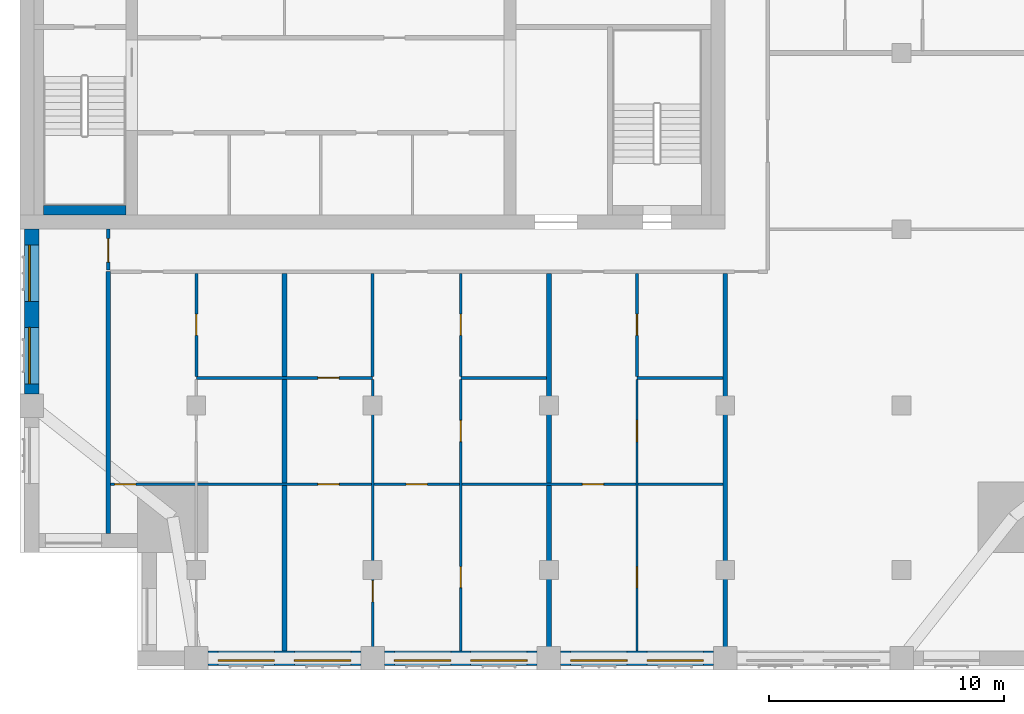
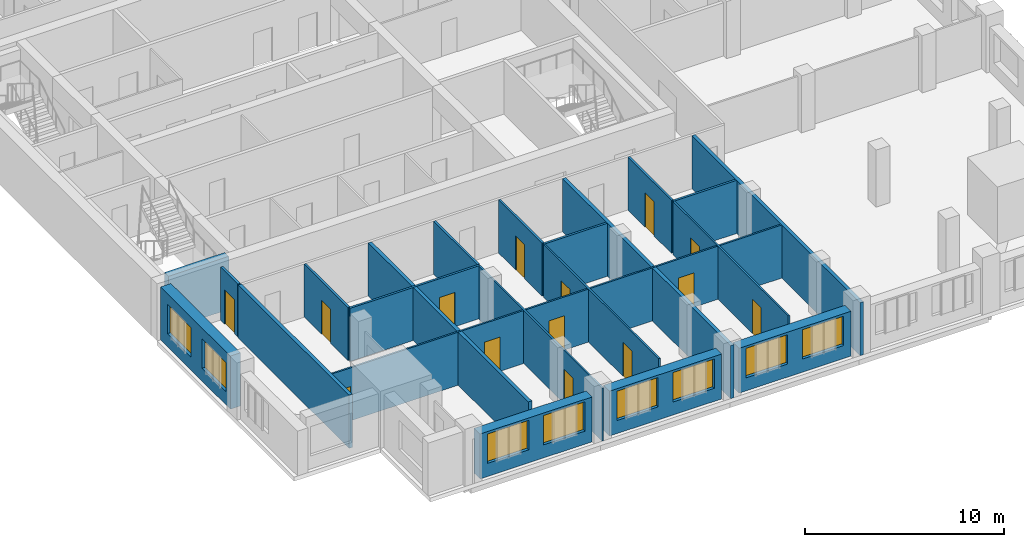
# One storey, part 3 of 11: 21 walls, 14 doors, 8 windows, 22 openings.
"""IFC4 building model written with IfcOpenShell, lengths in metres."""

from ifc_helpers import new_model, si_unit, direction, frame, frame_2d, origin, place, context, subcontext, project, spatial, rectangle, extrude, material, layer, layer_set, type_object, element, fill, save


model = new_model("IFC4")

# Units and contexts
model_context = context("Model", 3, precision=1e-05, world=origin(), true_north=direction((0.0, 1.0)))
body_context = subcontext(model_context, "Body", "Model", "MODEL_VIEW")
ifc_project = project(units=[si_unit("LENGTHUNIT", "METRE"), si_unit("AREAUNIT", "SQUARE_METRE"), si_unit("VOLUMEUNIT", "CUBIC_METRE"), si_unit("PLANEANGLEUNIT", "RADIAN"), si_unit("MASSUNIT", "GRAM", prefix="KILO")], contexts=[model_context])

# Site, building, storey
site_placement = place(None, origin())
site = spatial("IfcSite", under=ifc_project, at=site_placement, CompositionType="ELEMENT")
building_placement = place(site_placement, origin())
building = spatial("IfcBuilding", under=site, at=building_placement, Name="Tamorin Gate", CompositionType="ELEMENT")
storey_placement = place(building_placement, frame((0.0, 0.0, 244.199951171875)))
storey = spatial("IfcBuildingStorey", under=building, at=storey_placement, Name="L61", CompositionType="ELEMENT", Elevation=244.199951171875)

# Wall, openings, windows
ifc_material_1 = material(Name="Precast concrete C40/50", Category="concrete")
ifc_layer_1 = layer(ifc_material_1, 0.60009765625)
ifc_layer_set_1 = layer_set([ifc_layer_1], Name="Precast concrete C40/50")
wall_type_1 = type_object("IfcWallType", Name="Board-marked concrete facade panel 600", PredefinedType="SOLIDWALL", material=ifc_layer_set_1)
wall_1_placement = place(storey_placement, frame((38.0, 41.75, 0.0), z_axis=(0.0, 0.0, 1.0), x_axis=(1.0, 0.0, 0.0)))
wall_1 = element("IfcWall", 1, at=wall_1_placement, inside=storey, type_object=wall_type_1, Name="Facade panel", PredefinedType="SOLIDWALL", context=body_context, shape_type="SweptSolid", body=[
    extrude(rectangle(XDim=6.5, YDim=0.60009765625, at=frame_2d((3.25, 0.0))), origin(), (0.0, 0.0, 1.0), 2.75),
])
opening_1_placement = place(wall_1_placement, frame((0.425048828125, 0.0, 0.800048828125)))
opening_1 = element("IfcOpeningElement", 2, at=opening_1_placement, cuts=wall_1, Name="Opening WN1", PredefinedType="OPENING", context=body_context, shape_type="SweptSolid", body=[
    extrude(rectangle(XDim=2.39990234375, YDim=1.800048828125, at=frame_2d((1.199951171875, 0.89990234375))), frame((0.0, 0.31005859375, 0.0), z_axis=(0.0, -1.0, 0.0), x_axis=(1.0, 0.0, 0.0)), (0.0, 0.0, 1.0), 0.6201171875),
])
opening_2_placement = place(wall_1_placement, frame((3.675048828125, 0.0, 0.800048828125)))
opening_2 = element("IfcOpeningElement", 3, at=opening_2_placement, cuts=wall_1, Name="Opening WN1", PredefinedType="OPENING", context=body_context, shape_type="SweptSolid", body=[
    extrude(rectangle(XDim=2.39990234375, YDim=1.800048828125, at=frame_2d((1.199951171875, 0.89990234375))), frame((0.0, 0.31005859375, 0.0), z_axis=(0.0, -1.0, 0.0), x_axis=(1.0, 0.0, 0.0)), (0.0, 0.0, 1.0), 0.6201171875),
])
ifc_material_2 = material(Name="Clear glass in aluminium frame", Category="aluminium")
window_type = type_object("IfcWindowType", Name="Deep-set window 2400x1800", PartitioningType="SINGLE_PANEL", PredefinedType="WINDOW", material=ifc_material_2)
window_1_placement = place(opening_1_placement, origin())
window_1 = element("IfcWindow", 4, at=window_1_placement, inside=storey, type_object=window_type, Name="Deep-set window", OverallHeight=1.800048828125, OverallWidth=2.39990234375, PartitioningType="SINGLE_PANEL", PredefinedType="WINDOW", context=body_context, shape_type="SweptSolid", body=[
    extrude(rectangle(XDim=2.39990234375, YDim=1.800048828125, at=frame_2d((1.199951171875, 0.89990234375))), frame((0.0, -0.070068359375, 0.0), z_axis=(0.0, -1.0, 0.0), x_axis=(1.0, 0.0, 0.0)), (0.0, 0.0, 1.0), 0.06005859375),
])
fill(opening_1, window_1)
window_2_placement = place(opening_2_placement, origin())
window_2 = element("IfcWindow", 5, at=window_2_placement, inside=storey, type_object=window_type, Name="Deep-set window", OverallHeight=1.800048828125, OverallWidth=2.39990234375, PartitioningType="SINGLE_PANEL", PredefinedType="WINDOW", context=body_context, shape_type="SweptSolid", body=[
    extrude(rectangle(XDim=2.39990234375, YDim=1.800048828125, at=frame_2d((1.199951171875, 0.89990234375))), frame((0.0, -0.070068359375, 0.0), z_axis=(0.0, -1.0, 0.0), x_axis=(1.0, 0.0, 0.0)), (0.0, 0.0, 1.0), 0.06005859375),
])
fill(opening_2, window_2)

wall_2_placement = place(storey_placement, frame((45.5, 41.75, 0.0), z_axis=(0.0, 0.0, 1.0), x_axis=(1.0, 0.0, 0.0)))
wall_2 = element("IfcWall", 6, at=wall_2_placement, inside=storey, type_object=wall_type_1, Name="Facade panel", PredefinedType="SOLIDWALL", context=body_context, shape_type="SweptSolid", body=[
    extrude(rectangle(XDim=6.5, YDim=0.60009765625, at=frame_2d((3.25, 0.0))), origin(), (0.0, 0.0, 1.0), 2.75),
])
opening_3_placement = place(wall_2_placement, frame((0.425048828125, 0.0, 0.800048828125)))
opening_3 = element("IfcOpeningElement", 7, at=opening_3_placement, cuts=wall_2, Name="Opening WN1", PredefinedType="OPENING", context=body_context, shape_type="SweptSolid", body=[
    extrude(rectangle(XDim=2.39990234375, YDim=1.800048828125, at=frame_2d((1.199951171875, 0.89990234375))), frame((0.0, 0.31005859375, 0.0), z_axis=(0.0, -1.0, 0.0), x_axis=(1.0, 0.0, 0.0)), (0.0, 0.0, 1.0), 0.6201171875),
])
opening_4_placement = place(wall_2_placement, frame((3.675048828125, 0.0, 0.800048828125)))
opening_4 = element("IfcOpeningElement", 8, at=opening_4_placement, cuts=wall_2, Name="Opening WN1", PredefinedType="OPENING", context=body_context, shape_type="SweptSolid", body=[
    extrude(rectangle(XDim=2.39990234375, YDim=1.800048828125, at=frame_2d((1.199951171875, 0.89990234375))), frame((0.0, 0.31005859375, 0.0), z_axis=(0.0, -1.0, 0.0), x_axis=(1.0, 0.0, 0.0)), (0.0, 0.0, 1.0), 0.6201171875),
])
window_3_placement = place(opening_3_placement, origin())
window_3 = element("IfcWindow", 9, at=window_3_placement, inside=storey, type_object=window_type, Name="Deep-set window", OverallHeight=1.800048828125, OverallWidth=2.39990234375, PartitioningType="SINGLE_PANEL", PredefinedType="WINDOW", context=body_context, shape_type="SweptSolid", body=[
    extrude(rectangle(XDim=2.39990234375, YDim=1.800048828125, at=frame_2d((1.199951171875, 0.89990234375))), frame((0.0, -0.070068359375, 0.0), z_axis=(0.0, -1.0, 0.0), x_axis=(1.0, 0.0, 0.0)), (0.0, 0.0, 1.0), 0.06005859375),
])
fill(opening_3, window_3)
window_4_placement = place(opening_4_placement, origin())
window_4 = element("IfcWindow", 10, at=window_4_placement, inside=storey, type_object=window_type, Name="Deep-set window", OverallHeight=1.800048828125, OverallWidth=2.39990234375, PartitioningType="SINGLE_PANEL", PredefinedType="WINDOW", context=body_context, shape_type="SweptSolid", body=[
    extrude(rectangle(XDim=2.39990234375, YDim=1.800048828125, at=frame_2d((1.199951171875, 0.89990234375))), frame((0.0, -0.070068359375, 0.0), z_axis=(0.0, -1.0, 0.0), x_axis=(1.0, 0.0, 0.0)), (0.0, 0.0, 1.0), 0.06005859375),
])
fill(opening_4, window_4)

wall_3_placement = place(storey_placement, frame((53.0, 41.75, 0.0), z_axis=(0.0, 0.0, 1.0), x_axis=(1.0, 0.0, 0.0)))
wall_3 = element("IfcWall", 11, at=wall_3_placement, inside=storey, type_object=wall_type_1, Name="Facade panel", PredefinedType="SOLIDWALL", context=body_context, shape_type="SweptSolid", body=[
    extrude(rectangle(XDim=6.5, YDim=0.60009765625, at=frame_2d((3.25, 0.0))), origin(), (0.0, 0.0, 1.0), 2.75),
])
opening_5_placement = place(wall_3_placement, frame((0.425048828125, 0.0, 0.800048828125)))
opening_5 = element("IfcOpeningElement", 12, at=opening_5_placement, cuts=wall_3, Name="Opening WN1", PredefinedType="OPENING", context=body_context, shape_type="SweptSolid", body=[
    extrude(rectangle(XDim=2.39990234375, YDim=1.800048828125, at=frame_2d((1.199951171875, 0.89990234375))), frame((0.0, 0.31005859375, 0.0), z_axis=(0.0, -1.0, 0.0), x_axis=(1.0, 0.0, 0.0)), (0.0, 0.0, 1.0), 0.6201171875),
])
opening_6_placement = place(wall_3_placement, frame((3.675048828125, 0.0, 0.800048828125)))
opening_6 = element("IfcOpeningElement", 13, at=opening_6_placement, cuts=wall_3, Name="Opening WN1", PredefinedType="OPENING", context=body_context, shape_type="SweptSolid", body=[
    extrude(rectangle(XDim=2.39990234375, YDim=1.800048828125, at=frame_2d((1.199951171875, 0.89990234375))), frame((0.0, 0.31005859375, 0.0), z_axis=(0.0, -1.0, 0.0), x_axis=(1.0, 0.0, 0.0)), (0.0, 0.0, 1.0), 0.6201171875),
])
window_5_placement = place(opening_5_placement, origin())
window_5 = element("IfcWindow", 14, at=window_5_placement, inside=storey, type_object=window_type, Name="Deep-set window", OverallHeight=1.800048828125, OverallWidth=2.39990234375, PartitioningType="SINGLE_PANEL", PredefinedType="WINDOW", context=body_context, shape_type="SweptSolid", body=[
    extrude(rectangle(XDim=2.39990234375, YDim=1.800048828125, at=frame_2d((1.199951171875, 0.89990234375))), frame((0.0, -0.070068359375, 0.0), z_axis=(0.0, -1.0, 0.0), x_axis=(1.0, 0.0, 0.0)), (0.0, 0.0, 1.0), 0.06005859375),
])
fill(opening_5, window_5)
window_6_placement = place(opening_6_placement, origin())
window_6 = element("IfcWindow", 15, at=window_6_placement, inside=storey, type_object=window_type, Name="Deep-set window", OverallHeight=1.800048828125, OverallWidth=2.39990234375, PartitioningType="SINGLE_PANEL", PredefinedType="WINDOW", context=body_context, shape_type="SweptSolid", body=[
    extrude(rectangle(XDim=2.39990234375, YDim=1.800048828125, at=frame_2d((1.199951171875, 0.89990234375))), frame((0.0, -0.070068359375, 0.0), z_axis=(0.0, -1.0, 0.0), x_axis=(1.0, 0.0, 0.0)), (0.0, 0.0, 1.0), 0.06005859375),
])
fill(opening_6, window_6)

wall_4_placement = place(storey_placement, frame((30.5, 60.0, 0.0), z_axis=(0.0, 0.0, 1.0), x_axis=(0.0, -1.0, 0.0)))
wall_4 = element("IfcWall", 16, at=wall_4_placement, inside=storey, type_object=wall_type_1, Name="Facade panel", PredefinedType="SOLIDWALL", context=body_context, shape_type="SweptSolid", body=[
    extrude(rectangle(XDim=7.0, YDim=0.60009765625, at=frame_2d((3.5, 0.0))), origin(), (0.0, 0.0, 1.0), 3.25),
])
opening_7_placement = place(wall_4_placement, frame((4.175048828125, 0.0, 0.800048828125)))
opening_7 = element("IfcOpeningElement", 17, at=opening_7_placement, cuts=wall_4, Name="Opening WN1", PredefinedType="OPENING", context=body_context, shape_type="SweptSolid", body=[
    extrude(rectangle(XDim=2.39990234375, YDim=1.800048828125, at=frame_2d((1.199951171875, 0.89990234375))), frame((0.0, 0.31005859375, 0.0), z_axis=(0.0, -1.0, 0.0), x_axis=(1.0, 0.0, 0.0)), (0.0, 0.0, 1.0), 0.6201171875),
])
opening_8_placement = place(wall_4_placement, frame((0.675048828125, 0.0, 0.800048828125)))
opening_8 = element("IfcOpeningElement", 18, at=opening_8_placement, cuts=wall_4, Name="Opening WN1", PredefinedType="OPENING", context=body_context, shape_type="SweptSolid", body=[
    extrude(rectangle(XDim=2.39990234375, YDim=1.800048828125, at=frame_2d((1.199951171875, 0.89990234375))), frame((0.0, 0.31005859375, 0.0), z_axis=(0.0, -1.0, 0.0), x_axis=(1.0, 0.0, 0.0)), (0.0, 0.0, 1.0), 0.6201171875),
])
window_7_placement = place(opening_7_placement, origin())
window_7 = element("IfcWindow", 19, at=window_7_placement, inside=storey, type_object=window_type, Name="Deep-set window", OverallHeight=1.800048828125, OverallWidth=2.39990234375, PartitioningType="SINGLE_PANEL", PredefinedType="WINDOW", context=body_context, shape_type="SweptSolid", body=[
    extrude(rectangle(XDim=2.39990234375, YDim=1.800048828125, at=frame_2d((1.199951171875, 0.89990234375))), frame((0.0, -0.070068359375, 0.0), z_axis=(0.0, -1.0, 0.0), x_axis=(1.0, 0.0, 0.0)), (0.0, 0.0, 1.0), 0.06005859375),
])
fill(opening_7, window_7)
window_8_placement = place(opening_8_placement, origin())
window_8 = element("IfcWindow", 20, at=window_8_placement, inside=storey, type_object=window_type, Name="Deep-set window", OverallHeight=1.800048828125, OverallWidth=2.39990234375, PartitioningType="SINGLE_PANEL", PredefinedType="WINDOW", context=body_context, shape_type="SweptSolid", body=[
    extrude(rectangle(XDim=2.39990234375, YDim=1.800048828125, at=frame_2d((1.199951171875, 0.89990234375))), frame((0.0, -0.070068359375, 0.0), z_axis=(0.0, -1.0, 0.0), x_axis=(1.0, 0.0, 0.0)), (0.0, 0.0, 1.0), 0.06005859375),
])
fill(opening_8, window_8)

# Wall, opening, door
ifc_material_3 = material(Name="Gypsum board partition")
ifc_layer_2 = layer(ifc_material_3, 0.14990234375)
ifc_layer_set_2 = layer_set([ifc_layer_2], Name="Corridor wall 150")
wall_type_2 = type_object("IfcWallType", Name="Corridor wall 150", PredefinedType="PARTITIONING", material=ifc_layer_set_2)
wall_5_placement = place(storey_placement, frame((33.75, 58.27490234375, 0.0), z_axis=(0.0, 0.0, 1.0), x_axis=(0.0, 1.0, 0.0)))
wall_5 = element("IfcWall", 21, at=wall_5_placement, inside=storey, type_object=wall_type_2, Name="Corridor wall 150", PredefinedType="PARTITIONING", context=body_context, shape_type="SweptSolid", body=[
    extrude(rectangle(XDim=1.72509765625, YDim=0.14990234375, at=frame_2d((0.862548828125, 0.0))), origin(), (0.0, 0.0, 1.0), 3.25),
])
opening_9_placement = place(wall_5_placement, frame((0.324951171875, 0.0, 0.0)))
opening_9 = element("IfcOpeningElement", 22, at=opening_9_placement, cuts=wall_5, Name="Opening DR7001", PredefinedType="OPENING", context=body_context, shape_type="SweptSolid", body=[
    extrude(rectangle(XDim=1.0, YDim=2.10009765625, at=frame_2d((0.5, 1.050048828125))), frame((0.0, 0.0849609375, 0.0), z_axis=(0.0, -1.0, 0.0), x_axis=(1.0, 0.0, 0.0)), (0.0, 0.0, 1.0), 0.169921875),
])
ifc_material_4 = material(Name="Timber door leaf", Category="wood")
door_type_1 = type_object("IfcDoorType", Name="Door 1000 x 2100 FD30S", OperationType="NOTDEFINED", PredefinedType="DOOR", material=ifc_material_4)
door_1_placement = place(opening_9_placement, origin())
door_1 = element("IfcDoor", 23, at=door_1_placement, inside=storey, type_object=door_type_1, Name="Door DR7001", OperationType="SINGLE_SWING_RIGHT", OverallHeight=2.10009765625, OverallWidth=1.0, PredefinedType="DOOR", context=body_context, shape_type="SweptSolid", body=[
    extrude(rectangle(XDim=1.0, YDim=2.10009765625, at=frame_2d((0.5, 1.050048828125))), frame((0.0, 0.02490234375, 0.0), z_axis=(0.0, -1.0, 0.0), x_axis=(1.0, 0.0, 0.0)), (0.0, 0.0, 1.0), 0.050048828125),
])
fill(opening_9, door_1)

# Walls
ifc_layer_3 = layer(ifc_material_3, 0.199951171875)
ifc_layer_set_3 = layer_set([ifc_layer_3], Name="Demising wall 200")
wall_type_3 = type_object("IfcWallType", Name="Demising wall 200", PredefinedType="PARTITIONING", material=ifc_layer_set_3)
wall_6_placement = place(storey_placement, frame((33.75, 47.06005859375, 0.0), z_axis=(0.0, 0.0, 1.0), x_axis=(0.0, 1.0, 0.0)))
element("IfcWall", 24, at=wall_6_placement, inside=storey, type_object=wall_type_3, Name="Demising wall 200", PredefinedType="PARTITIONING", context=body_context, shape_type="SweptSolid", body=[
    extrude(rectangle(XDim=11.139892578125, YDim=0.199951171875, at=frame_2d((5.56982421875, 0.0))), origin(), (0.0, 0.0, 1.0), 3.25),
])
wall_7_placement = place(storey_placement, frame((41.25, 42.06005859375, 0.0), z_axis=(0.0, 0.0, 1.0), x_axis=(0.0, 1.0, 0.0)))
element("IfcWall", 25, at=wall_7_placement, inside=storey, type_object=wall_type_3, Name="Demising wall 200", PredefinedType="PARTITIONING", context=body_context, shape_type="SweptSolid", body=[
    extrude(rectangle(XDim=16.06494140625, YDim=0.199951171875, at=frame_2d((8.032470703125, 0.0))), origin(), (0.0, 0.0, 1.0), 3.25),
])
for number, where, z_axis, x_axis, name in (
    (26, (52.5, 41.25, 0.0), (0.0, 0.0, 1.0), (0.0, 1.0, 0.0), "Demising wall 200"),
    (27, (60.0, 41.25, 0.0), (0.0, 0.0, 1.0), (0.0, 1.0, 0.0), "Demising wall 200"),
):
    element("IfcWall", number, at=place(storey_placement, frame(where, z_axis=z_axis, x_axis=x_axis)), inside=storey, type_object=wall_type_3, Name=name, PredefinedType="PARTITIONING", context=body_context, shape_type="SweptSolid", body=[
        extrude(rectangle(XDim=16.875, YDim=0.199951171875, at=frame_2d((8.4375, 0.0))), origin(), (0.0, 0.0, 1.0), 3.25),
    ])

# Wall, openings, doors
ifc_layer_4 = layer(ifc_material_3, 0.10009765625)
ifc_layer_set_4 = layer_set([ifc_layer_4], Name="Room partition 100")
wall_type_4 = type_object("IfcWallType", Name="Room partition 100", PredefinedType="PARTITIONING", material=ifc_layer_set_4)
wall_8_placement = place(storey_placement, frame((33.85009765625, 49.14990234375, 0.0), z_axis=(0.0, 0.0, 1.0), x_axis=(1.0, 0.0, 0.0)))
wall_8 = element("IfcWall", 28, at=wall_8_placement, inside=storey, type_object=wall_type_4, Name="Room partition 100", PredefinedType="PARTITIONING", context=body_context, shape_type="SweptSolid", body=[
    extrude(rectangle(XDim=26.0498046875, YDim=0.10009765625, at=frame_2d((13.02490234375, 0.0))), origin(), (0.0, 0.0, 1.0), 3.25),
])
opening_10_placement = place(wall_8_placement, frame((0.175048828125, 0.0, 0.0)))
opening_10 = element("IfcOpeningElement", 29, at=opening_10_placement, cuts=wall_8, Name="Opening DR7003", PredefinedType="OPENING", context=body_context, shape_type="SweptSolid", body=[
    extrude(rectangle(XDim=0.89990234375, YDim=2.10009765625, at=frame_2d((0.449951171875, 1.050048828125))), frame((0.0, 0.06005859375, 0.0), z_axis=(0.0, -1.0, 0.0), x_axis=(1.0, 0.0, 0.0)), (0.0, 0.0, 1.0), 0.1201171875),
])
opening_11_placement = place(wall_8_placement, frame((8.824951171875, 0.0, 0.0)))
opening_11 = element("IfcOpeningElement", 30, at=opening_11_placement, cuts=wall_8, Name="Opening DR7007", PredefinedType="OPENING", context=body_context, shape_type="SweptSolid", body=[
    extrude(rectangle(XDim=0.89990234375, YDim=2.10009765625, at=frame_2d((0.449951171875, 1.050048828125))), frame((0.0, 0.06005859375, 0.0), z_axis=(0.0, -1.0, 0.0), x_axis=(1.0, 0.0, 0.0)), (0.0, 0.0, 1.0), 0.1201171875),
])
opening_12_placement = place(wall_8_placement, frame((12.574951171875, 0.0, 0.0)))
opening_12 = element("IfcOpeningElement", 31, at=opening_12_placement, cuts=wall_8, Name="Opening DR7010", PredefinedType="OPENING", context=body_context, shape_type="SweptSolid", body=[
    extrude(rectangle(XDim=0.89990234375, YDim=2.10009765625, at=frame_2d((0.449951171875, 1.050048828125))), frame((0.0, 0.06005859375, 0.0), z_axis=(0.0, -1.0, 0.0), x_axis=(1.0, 0.0, 0.0)), (0.0, 0.0, 1.0), 0.1201171875),
])
opening_13_placement = place(wall_8_placement, frame((20.074951171875, 0.0, 0.0)))
opening_13 = element("IfcOpeningElement", 32, at=opening_13_placement, cuts=wall_8, Name="Opening DR7016", PredefinedType="OPENING", context=body_context, shape_type="SweptSolid", body=[
    extrude(rectangle(XDim=0.89990234375, YDim=2.10009765625, at=frame_2d((0.449951171875, 1.050048828125))), frame((0.0, 0.06005859375, 0.0), z_axis=(0.0, -1.0, 0.0), x_axis=(1.0, 0.0, 0.0)), (0.0, 0.0, 1.0), 0.1201171875),
])
door_type_2 = type_object("IfcDoorType", Name="Door 900 x 2100", OperationType="NOTDEFINED", PredefinedType="DOOR", material=ifc_material_4)
door_2_placement = place(opening_10_placement, origin())
door_2 = element("IfcDoor", 33, at=door_2_placement, inside=storey, type_object=door_type_2, Name="Door DR7003", OperationType="SINGLE_SWING_LEFT", OverallHeight=2.10009765625, OverallWidth=0.89990234375, PredefinedType="DOOR", context=body_context, shape_type="SweptSolid", body=[
    extrude(rectangle(XDim=0.89990234375, YDim=2.10009765625, at=frame_2d((0.449951171875, 1.050048828125))), frame((0.0, 0.02490234375, 0.0), z_axis=(0.0, -1.0, 0.0), x_axis=(1.0, 0.0, 0.0)), (0.0, 0.0, 1.0), 0.050048828125),
])
fill(opening_10, door_2)
door_3_placement = place(opening_11_placement, origin())
door_3 = element("IfcDoor", 34, at=door_3_placement, inside=storey, type_object=door_type_2, Name="Door DR7007", OperationType="SINGLE_SWING_LEFT", OverallHeight=2.10009765625, OverallWidth=0.89990234375, PredefinedType="DOOR", context=body_context, shape_type="SweptSolid", body=[
    extrude(rectangle(XDim=0.89990234375, YDim=2.10009765625, at=frame_2d((0.449951171875, 1.050048828125))), frame((0.0, 0.02490234375, 0.0), z_axis=(0.0, -1.0, 0.0), x_axis=(1.0, 0.0, 0.0)), (0.0, 0.0, 1.0), 0.050048828125),
])
fill(opening_11, door_3)
door_4_placement = place(opening_12_placement, origin())
door_4 = element("IfcDoor", 35, at=door_4_placement, inside=storey, type_object=door_type_2, Name="Door DR7010", OperationType="SINGLE_SWING_LEFT", OverallHeight=2.10009765625, OverallWidth=0.89990234375, PredefinedType="DOOR", context=body_context, shape_type="SweptSolid", body=[
    extrude(rectangle(XDim=0.89990234375, YDim=2.10009765625, at=frame_2d((0.449951171875, 1.050048828125))), frame((0.0, 0.02490234375, 0.0), z_axis=(0.0, -1.0, 0.0), x_axis=(1.0, 0.0, 0.0)), (0.0, 0.0, 1.0), 0.050048828125),
])
fill(opening_12, door_4)
door_5_placement = place(opening_13_placement, origin())
door_5 = element("IfcDoor", 36, at=door_5_placement, inside=storey, type_object=door_type_2, Name="Door DR7016", OperationType="SINGLE_SWING_LEFT", OverallHeight=2.10009765625, OverallWidth=0.89990234375, PredefinedType="DOOR", context=body_context, shape_type="SweptSolid", body=[
    extrude(rectangle(XDim=0.89990234375, YDim=2.10009765625, at=frame_2d((0.449951171875, 1.050048828125))), frame((0.0, 0.02490234375, 0.0), z_axis=(0.0, -1.0, 0.0), x_axis=(1.0, 0.0, 0.0)), (0.0, 0.0, 1.0), 0.050048828125),
])
fill(opening_13, door_5)

# Wall, opening, door
wall_9_placement = place(storey_placement, frame((45.0, 41.25, 0.0), z_axis=(0.0, 0.0, 1.0), x_axis=(0.0, 1.0, 0.0)))
wall_9 = element("IfcWall", 37, at=wall_9_placement, inside=storey, type_object=wall_type_4, Name="Room partition 100", PredefinedType="PARTITIONING", context=body_context, shape_type="SweptSolid", body=[
    extrude(rectangle(XDim=12.362548828125, YDim=0.10009765625, at=frame_2d((6.18115234375, 0.0))), origin(), (0.0, 0.0, 1.0), 3.25),
])
opening_14_placement = place(wall_9_placement, frame((2.89990234375, 0.0, 0.0)))
opening_14 = element("IfcOpeningElement", 38, at=opening_14_placement, cuts=wall_9, Name="Opening DR7013", PredefinedType="OPENING", context=body_context, shape_type="SweptSolid", body=[
    extrude(rectangle(XDim=0.89990234375, YDim=2.10009765625, at=frame_2d((0.449951171875, 1.050048828125))), frame((0.0, 0.06005859375, 0.0), z_axis=(0.0, -1.0, 0.0), x_axis=(1.0, 0.0, 0.0)), (0.0, 0.0, 1.0), 0.1201171875),
])
door_6_placement = place(opening_14_placement, origin())
door_6 = element("IfcDoor", 39, at=door_6_placement, inside=storey, type_object=door_type_2, Name="Door DR7013", OperationType="SINGLE_SWING_LEFT", OverallHeight=2.10009765625, OverallWidth=0.89990234375, PredefinedType="DOOR", context=body_context, shape_type="SweptSolid", body=[
    extrude(rectangle(XDim=0.89990234375, YDim=2.10009765625, at=frame_2d((0.449951171875, 1.050048828125))), frame((0.0, 0.02490234375, 0.0), z_axis=(0.0, -1.0, 0.0), x_axis=(1.0, 0.0, 0.0)), (0.0, 0.0, 1.0), 0.050048828125),
])
fill(opening_14, door_6)

# Wall, openings, doors
wall_10_placement = place(storey_placement, frame((48.75, 42.06005859375, 0.0), z_axis=(0.0, 0.0, 1.0), x_axis=(0.0, 1.0, 0.0)))
wall_10 = element("IfcWall", 40, at=wall_10_placement, inside=storey, type_object=wall_type_4, Name="Room partition 100", PredefinedType="PARTITIONING", context=body_context, shape_type="SweptSolid", body=[
    extrude(rectangle(XDim=11.552490234375, YDim=0.10009765625, at=frame_2d((5.7763671875, 0.0))), origin(), (0.0, 0.0, 1.0), 3.25),
])
opening_15_placement = place(wall_10_placement, frame((8.902587890625, 0.0, 0.0)))
opening_15 = element("IfcOpeningElement", 41, at=opening_15_placement, cuts=wall_10, Name="Opening DR7011", PredefinedType="OPENING", context=body_context, shape_type="SweptSolid", body=[
    extrude(rectangle(XDim=0.89990234375, YDim=2.10009765625, at=frame_2d((0.449951171875, 1.050048828125))), frame((0.0, 0.06005859375, 0.0), z_axis=(0.0, -1.0, 0.0), x_axis=(1.0, 0.0, 0.0)), (0.0, 0.0, 1.0), 0.1201171875),
])
opening_16_placement = place(wall_10_placement, frame((2.68994140625, 0.0, 0.0)))
opening_16 = element("IfcOpeningElement", 42, at=opening_16_placement, cuts=wall_10, Name="Opening DR7014", PredefinedType="OPENING", context=body_context, shape_type="SweptSolid", body=[
    extrude(rectangle(XDim=0.89990234375, YDim=2.10009765625, at=frame_2d((0.449951171875, 1.050048828125))), frame((0.0, 0.06005859375, 0.0), z_axis=(0.0, -1.0, 0.0), x_axis=(1.0, 0.0, 0.0)), (0.0, 0.0, 1.0), 0.1201171875),
])
door_7_placement = place(opening_15_placement, origin())
door_7 = element("IfcDoor", 43, at=door_7_placement, inside=storey, type_object=door_type_2, Name="Door DR7011", OperationType="SINGLE_SWING_LEFT", OverallHeight=2.10009765625, OverallWidth=0.89990234375, PredefinedType="DOOR", context=body_context, shape_type="SweptSolid", body=[
    extrude(rectangle(XDim=0.89990234375, YDim=2.10009765625, at=frame_2d((0.449951171875, 1.050048828125))), frame((0.0, 0.02490234375, 0.0), z_axis=(0.0, -1.0, 0.0), x_axis=(1.0, 0.0, 0.0)), (0.0, 0.0, 1.0), 0.050048828125),
])
fill(opening_15, door_7)
door_8_placement = place(opening_16_placement, origin())
door_8 = element("IfcDoor", 44, at=door_8_placement, inside=storey, type_object=door_type_2, Name="Door DR7014", OperationType="SINGLE_SWING_LEFT", OverallHeight=2.10009765625, OverallWidth=0.89990234375, PredefinedType="DOOR", context=body_context, shape_type="SweptSolid", body=[
    extrude(rectangle(XDim=0.89990234375, YDim=2.10009765625, at=frame_2d((0.449951171875, 1.050048828125))), frame((0.0, 0.02490234375, 0.0), z_axis=(0.0, -1.0, 0.0), x_axis=(1.0, 0.0, 0.0)), (0.0, 0.0, 1.0), 0.050048828125),
])
fill(opening_16, door_8)

wall_11_placement = place(storey_placement, frame((56.25, 42.06005859375, 0.0), z_axis=(0.0, 0.0, 1.0), x_axis=(0.0, 1.0, 0.0)))
wall_11 = element("IfcWall", 45, at=wall_11_placement, inside=storey, type_object=wall_type_4, Name="Room partition 100", PredefinedType="PARTITIONING", context=body_context, shape_type="SweptSolid", body=[
    extrude(rectangle(XDim=11.552490234375, YDim=0.10009765625, at=frame_2d((5.7763671875, 0.0))), origin(), (0.0, 0.0, 1.0), 3.25),
])
opening_17_placement = place(wall_11_placement, frame((8.902587890625, 0.0, 0.0)))
opening_17 = element("IfcOpeningElement", 46, at=opening_17_placement, cuts=wall_11, Name="Opening DR7017", PredefinedType="OPENING", context=body_context, shape_type="SweptSolid", body=[
    extrude(rectangle(XDim=0.89990234375, YDim=2.10009765625, at=frame_2d((0.449951171875, 1.050048828125))), frame((0.0, 0.06005859375, 0.0), z_axis=(0.0, -1.0, 0.0), x_axis=(1.0, 0.0, 0.0)), (0.0, 0.0, 1.0), 0.1201171875),
])
opening_18_placement = place(wall_11_placement, frame((2.68994140625, 0.0, 0.0)))
opening_18 = element("IfcOpeningElement", 47, at=opening_18_placement, cuts=wall_11, Name="Opening DR7019", PredefinedType="OPENING", context=body_context, shape_type="SweptSolid", body=[
    extrude(rectangle(XDim=0.89990234375, YDim=2.10009765625, at=frame_2d((0.449951171875, 1.050048828125))), frame((0.0, 0.06005859375, 0.0), z_axis=(0.0, -1.0, 0.0), x_axis=(1.0, 0.0, 0.0)), (0.0, 0.0, 1.0), 0.1201171875),
])
door_9_placement = place(opening_17_placement, origin())
door_9 = element("IfcDoor", 48, at=door_9_placement, inside=storey, type_object=door_type_2, Name="Door DR7017", OperationType="SINGLE_SWING_LEFT", OverallHeight=2.10009765625, OverallWidth=0.89990234375, PredefinedType="DOOR", context=body_context, shape_type="SweptSolid", body=[
    extrude(rectangle(XDim=0.89990234375, YDim=2.10009765625, at=frame_2d((0.449951171875, 1.050048828125))), frame((0.0, 0.02490234375, 0.0), z_axis=(0.0, -1.0, 0.0), x_axis=(1.0, 0.0, 0.0)), (0.0, 0.0, 1.0), 0.050048828125),
])
fill(opening_17, door_9)
door_10_placement = place(opening_18_placement, origin())
door_10 = element("IfcDoor", 49, at=door_10_placement, inside=storey, type_object=door_type_2, Name="Door DR7019", OperationType="SINGLE_SWING_LEFT", OverallHeight=2.10009765625, OverallWidth=0.89990234375, PredefinedType="DOOR", context=body_context, shape_type="SweptSolid", body=[
    extrude(rectangle(XDim=0.89990234375, YDim=2.10009765625, at=frame_2d((0.449951171875, 1.050048828125))), frame((0.0, 0.02490234375, 0.0), z_axis=(0.0, -1.0, 0.0), x_axis=(1.0, 0.0, 0.0)), (0.0, 0.0, 1.0), 0.050048828125),
])
fill(opening_18, door_10)

# Wall
ifc_material_5 = material(Name="Concrete C50/60", Category="concrete")
ifc_layer_5 = layer(ifc_material_5, 0.39990234375)
ifc_layer_set_5 = layer_set([ifc_layer_5], Name="Stair lining wall 400 EI 120 C50/60")
wall_type_5 = type_object("IfcWallType", Name="Stair lining wall 400 EI 120 C50/60", PredefinedType="SOLIDWALL", material=ifc_layer_set_5)
wall_12_placement = place(storey_placement, frame((31.0, 60.800048828125, 0.0), z_axis=(0.0, 0.0, 1.0), x_axis=(1.0, 0.0, 0.0)))
element("IfcWall", 50, at=wall_12_placement, inside=storey, type_object=wall_type_5, Name="Stair lining wall", PredefinedType="SOLIDWALL", context=body_context, shape_type="SweptSolid", body=[
    extrude(rectangle(XDim=3.5, YDim=0.39990234375, at=frame_2d((1.75, 0.0))), origin(), (0.0, 0.0, 1.0), 3.25),
])

# Wall, opening, door
ifc_layer_6 = layer(ifc_material_3, 0.125)
ifc_layer_set_6 = layer_set([ifc_layer_6], Name="Wet wall 125")
wall_type_6 = type_object("IfcWallType", Name="Wet wall 125", PredefinedType="PARTITIONING", material=ifc_layer_set_6)
wall_13_placement = place(storey_placement, frame((37.5, 53.675048828125, 0.0), z_axis=(0.0, 0.0, 1.0), x_axis=(1.0, 0.0, 0.0)))
wall_13 = element("IfcWall", 51, at=wall_13_placement, inside=storey, type_object=wall_type_6, Name="Wet wall 125", PredefinedType="PARTITIONING", context=body_context, shape_type="SweptSolid", body=[
    extrude(rectangle(XDim=7.5, YDim=0.125, at=frame_2d((3.75, 0.0))), origin(), (0.0, 0.0, 1.0), 3.25),
])
opening_19_placement = place(wall_13_placement, frame((5.175048828125, 0.0, 0.0)))
opening_19 = element("IfcOpeningElement", 52, at=opening_19_placement, cuts=wall_13, Name="Opening DR7008", PredefinedType="OPENING", context=body_context, shape_type="SweptSolid", body=[
    extrude(rectangle(XDim=0.89990234375, YDim=2.10009765625, at=frame_2d((0.449951171875, 1.050048828125))), frame((0.0, 0.072509765625, 0.0), z_axis=(0.0, -1.0, 0.0), x_axis=(1.0, 0.0, 0.0)), (0.0, 0.0, 1.0), 0.14501953125),
])
door_11_placement = place(opening_19_placement, origin())
door_11 = element("IfcDoor", 53, at=door_11_placement, inside=storey, type_object=door_type_2, Name="Door DR7008", OperationType="SINGLE_SWING_LEFT", OverallHeight=2.10009765625, OverallWidth=0.89990234375, PredefinedType="DOOR", context=body_context, shape_type="SweptSolid", body=[
    extrude(rectangle(XDim=0.89990234375, YDim=2.10009765625, at=frame_2d((0.449951171875, 1.050048828125))), frame((0.0, 0.02490234375, 0.0), z_axis=(0.0, -1.0, 0.0), x_axis=(1.0, 0.0, 0.0)), (0.0, 0.0, 1.0), 0.050048828125),
])
fill(opening_19, door_11)

# Walls
for number, where, z_axis, x_axis, name in (
    (54, (48.75, 53.675048828125, 0.0), (0.0, 0.0, 1.0), (1.0, 0.0, 0.0), "Wet wall 125"),
    (55, (56.25, 53.675048828125, 0.0), (0.0, 0.0, 1.0), (1.0, 0.0, 0.0), "Wet wall 125"),
):
    element("IfcWall", number, at=place(storey_placement, frame(where, z_axis=z_axis, x_axis=x_axis)), inside=storey, type_object=wall_type_6, Name=name, PredefinedType="PARTITIONING", context=body_context, shape_type="SweptSolid", body=[
        extrude(rectangle(XDim=3.64990234375, YDim=0.125, at=frame_2d((1.824951171875, 0.0))), origin(), (0.0, 0.0, 1.0), 3.25),
    ])

# Wall, opening, door
wall_14_placement = place(storey_placement, frame((37.5, 53.737548828125, 0.0), z_axis=(0.0, 0.0, 1.0), x_axis=(0.0, 1.0, 0.0)))
wall_14 = element("IfcWall", 56, at=wall_14_placement, inside=storey, type_object=wall_type_6, Name="Wet wall 125", PredefinedType="PARTITIONING", context=body_context, shape_type="SweptSolid", body=[
    extrude(rectangle(XDim=4.387451171875, YDim=0.125, at=frame_2d((2.19384765625, 0.0))), origin(), (0.0, 0.0, 1.0), 3.25),
])
opening_20_placement = place(wall_14_placement, frame((1.75, 0.0, 0.0)))
opening_20 = element("IfcOpeningElement", 57, at=opening_20_placement, cuts=wall_14, Name="Opening DR7005", PredefinedType="OPENING", context=body_context, shape_type="SweptSolid", body=[
    extrude(rectangle(XDim=0.89990234375, YDim=2.10009765625, at=frame_2d((0.449951171875, 1.050048828125))), frame((0.0, 0.072509765625, 0.0), z_axis=(0.0, -1.0, 0.0), x_axis=(1.0, 0.0, 0.0)), (0.0, 0.0, 1.0), 0.14501953125),
])
door_12_placement = place(opening_20_placement, origin())
door_12 = element("IfcDoor", 58, at=door_12_placement, inside=storey, type_object=door_type_2, Name="Door DR7005", OperationType="SINGLE_SWING_RIGHT", OverallHeight=2.10009765625, OverallWidth=0.89990234375, PredefinedType="DOOR", context=body_context, shape_type="SweptSolid", body=[
    extrude(rectangle(XDim=0.89990234375, YDim=2.10009765625, at=frame_2d((0.449951171875, 1.050048828125))), frame((0.0, 0.02490234375, 0.0), z_axis=(0.0, -1.0, 0.0), x_axis=(1.0, 0.0, 0.0)), (0.0, 0.0, 1.0), 0.050048828125),
])
fill(opening_20, door_12)

# Wall
wall_15_placement = place(storey_placement, frame((45.0, 53.737548828125, 0.0), z_axis=(0.0, 0.0, 1.0), x_axis=(0.0, 1.0, 0.0)))
element("IfcWall", 59, at=wall_15_placement, inside=storey, type_object=wall_type_6, Name="Wet wall 125", PredefinedType="PARTITIONING", context=body_context, shape_type="SweptSolid", body=[
    extrude(rectangle(XDim=4.387451171875, YDim=0.125, at=frame_2d((2.19384765625, 0.0))), origin(), (0.0, 0.0, 1.0), 3.25),
])

# Wall, opening, door
wall_16_placement = place(storey_placement, frame((48.75, 53.737548828125, 0.0), z_axis=(0.0, 0.0, 1.0), x_axis=(0.0, 1.0, 0.0)))
wall_16 = element("IfcWall", 60, at=wall_16_placement, inside=storey, type_object=wall_type_6, Name="Wet wall 125", PredefinedType="PARTITIONING", context=body_context, shape_type="SweptSolid", body=[
    extrude(rectangle(XDim=4.387451171875, YDim=0.125, at=frame_2d((2.19384765625, 0.0))), origin(), (0.0, 0.0, 1.0), 3.25),
])
opening_21_placement = place(wall_16_placement, frame((1.75, 0.0, 0.0)))
opening_21 = element("IfcOpeningElement", 61, at=opening_21_placement, cuts=wall_16, Name="Opening DR7012", PredefinedType="OPENING", context=body_context, shape_type="SweptSolid", body=[
    extrude(rectangle(XDim=0.89990234375, YDim=2.10009765625, at=frame_2d((0.449951171875, 1.050048828125))), frame((0.0, 0.072509765625, 0.0), z_axis=(0.0, -1.0, 0.0), x_axis=(1.0, 0.0, 0.0)), (0.0, 0.0, 1.0), 0.14501953125),
])
door_13_placement = place(opening_21_placement, origin())
door_13 = element("IfcDoor", 62, at=door_13_placement, inside=storey, type_object=door_type_2, Name="Door DR7012", OperationType="SINGLE_SWING_RIGHT", OverallHeight=2.10009765625, OverallWidth=0.89990234375, PredefinedType="DOOR", context=body_context, shape_type="SweptSolid", body=[
    extrude(rectangle(XDim=0.89990234375, YDim=2.10009765625, at=frame_2d((0.449951171875, 1.050048828125))), frame((0.0, 0.02490234375, 0.0), z_axis=(0.0, -1.0, 0.0), x_axis=(1.0, 0.0, 0.0)), (0.0, 0.0, 1.0), 0.050048828125),
])
fill(opening_21, door_13)

wall_17_placement = place(storey_placement, frame((56.25, 53.737548828125, 0.0), z_axis=(0.0, 0.0, 1.0), x_axis=(0.0, 1.0, 0.0)))
wall_17 = element("IfcWall", 63, at=wall_17_placement, inside=storey, type_object=wall_type_6, Name="Wet wall 125", PredefinedType="PARTITIONING", context=body_context, shape_type="SweptSolid", body=[
    extrude(rectangle(XDim=4.387451171875, YDim=0.125, at=frame_2d((2.19384765625, 0.0))), origin(), (0.0, 0.0, 1.0), 3.25),
])
opening_22_placement = place(wall_17_placement, frame((1.75, 0.0, 0.0)))
opening_22 = element("IfcOpeningElement", 64, at=opening_22_placement, cuts=wall_17, Name="Opening DR7018", PredefinedType="OPENING", context=body_context, shape_type="SweptSolid", body=[
    extrude(rectangle(XDim=0.89990234375, YDim=2.10009765625, at=frame_2d((0.449951171875, 1.050048828125))), frame((0.0, 0.072509765625, 0.0), z_axis=(0.0, -1.0, 0.0), x_axis=(1.0, 0.0, 0.0)), (0.0, 0.0, 1.0), 0.14501953125),
])
door_14_placement = place(opening_22_placement, origin())
door_14 = element("IfcDoor", 65, at=door_14_placement, inside=storey, type_object=door_type_2, Name="Door DR7018", OperationType="SINGLE_SWING_RIGHT", OverallHeight=2.10009765625, OverallWidth=0.89990234375, PredefinedType="DOOR", context=body_context, shape_type="SweptSolid", body=[
    extrude(rectangle(XDim=0.89990234375, YDim=2.10009765625, at=frame_2d((0.449951171875, 1.050048828125))), frame((0.0, 0.02490234375, 0.0), z_axis=(0.0, -1.0, 0.0), x_axis=(1.0, 0.0, 0.0)), (0.0, 0.0, 1.0), 0.050048828125),
])
fill(opening_22, door_14)

save(model, "model.ifc")
